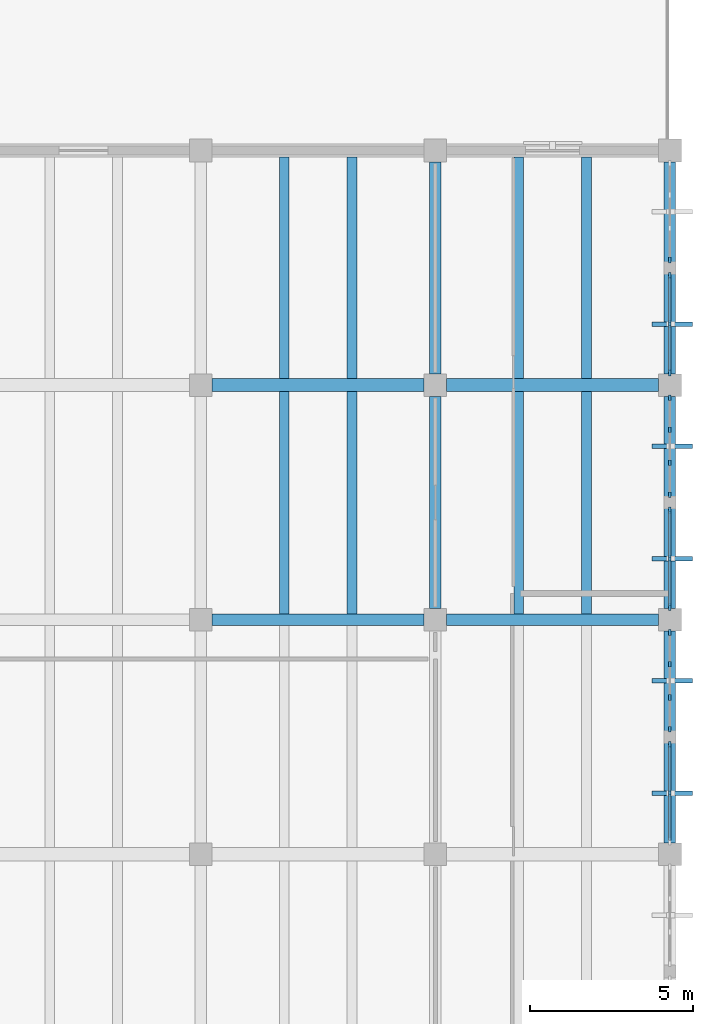
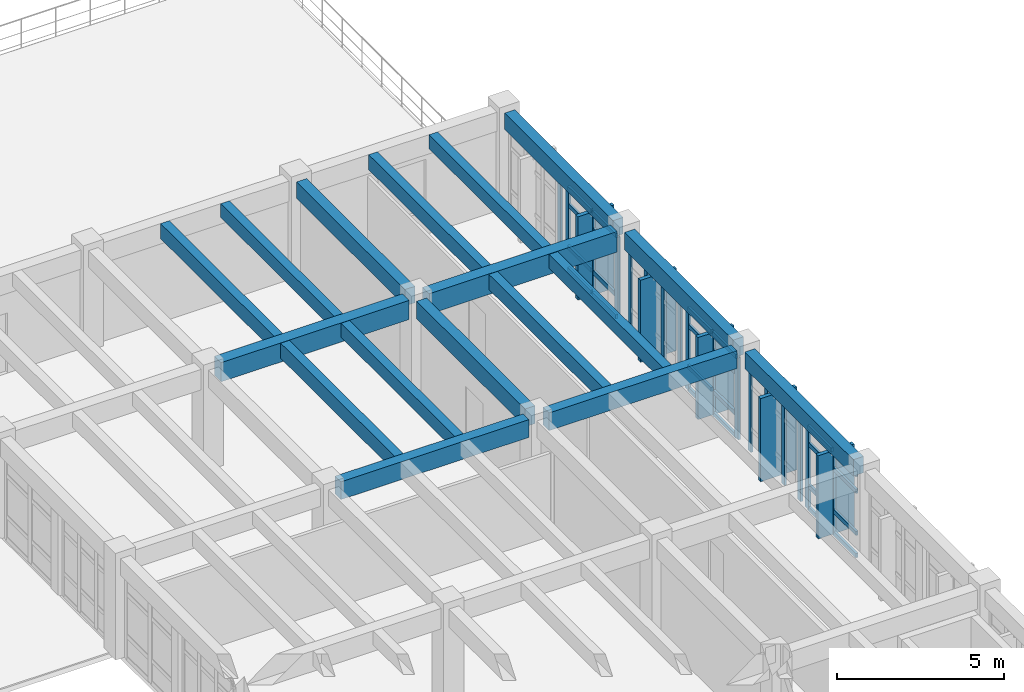
# One storey, part 16 of 54: 46 members, 17 beams, 6 elements without a shape of their own.
"""IFC4 building model written with IfcOpenShell, lengths in metres."""

from ifc_helpers import new_model, si_unit, direction, frame, origin, origin_2d, place, context, subcontext, project, spatial, rectangle, extrude, material, layer, layer_set, material_profile, profile_set, type_object, element, aggregate, save


model = new_model("IFC4")

# Units and contexts
model_context = context("Model", 3, precision=1e-05, world=origin(), true_north=direction((0.0, 1.0)))
body_context = subcontext(model_context, "Body", "Model", "MODEL_VIEW")
ifc_project = project(units=[si_unit("LENGTHUNIT", "METRE"), si_unit("AREAUNIT", "SQUARE_METRE"), si_unit("VOLUMEUNIT", "CUBIC_METRE"), si_unit("PLANEANGLEUNIT", "RADIAN"), si_unit("MASSUNIT", "GRAM", prefix="KILO")], contexts=[model_context])

# Site, building, storey
site_placement = place(None, origin())
site = spatial("IfcSite", under=ifc_project, at=site_placement, CompositionType="ELEMENT")
building_placement = place(site_placement, origin())
building = spatial("IfcBuilding", under=site, at=building_placement, Name="Koriwan Promenade Central Fire Station", CompositionType="ELEMENT")
storey_placement = place(building_placement, frame((0.0, 0.0, 9.60009765625)))
storey = spatial("IfcBuildingStorey", under=building, at=storey_placement, Name="L02", CompositionType="ELEMENT", Elevation=9.60009765625)

# Beams
ifc_material_1 = material(Name="Concrete C35/45", Category="concrete")
ifc_material_profile_1 = material_profile(ifc_material_1, rectangle(XDim=0.300048828125, YDim=0.5, at=origin_2d()), Name="RC-BM-300x500")
ifc_profile_set_1 = profile_set([ifc_material_profile_1], Name="Concrete C35/45")
beam_type_1 = type_object("IfcBeamType", Name="Beam_RC-BM-300x500", PredefinedType="JOIST", material=ifc_profile_set_1)
for number, where, z_axis, x_axis, name in (
    (1, (163.0400390625, 43.375, 3.39990234375), (0.0, 1.0, 0.0), (-1.0, 0.0, 0.0), "V5 L02 secondary joist 851"),
    (2, (170.239990234375, 43.375, 3.39990234375), (0.0, 1.0, 0.0), (-1.0, 0.0, 0.0), "V5 L02 secondary joist 853"),
):
    element("IfcBeam", number, at=place(storey_placement, frame(where, z_axis=z_axis, x_axis=x_axis)), inside=storey, type_object=beam_type_1, Name=name, PredefinedType="JOIST", context=body_context, shape_type="SweptSolid", body=[
        extrude(rectangle(XDim=0.300048828125, YDim=0.5, at=origin_2d()), origin(), (0.0, 0.0, 1.0), 6.824951171875),
    ])
for number, where, z_axis, x_axis, name in (
    (3, (163.0400390625, 50.60009765625, 3.409912109375), (0.0, 1.0, 0.0), (-1.0, 0.0, 0.0), "V5 L02 secondary joist 857"),
    (4, (170.239990234375, 50.60009765625, 3.409912109375), (0.0, 1.0, 0.0), (-1.0, 0.0, 0.0), "V5 L02 secondary joist 859"),
):
    element("IfcBeam", number, at=place(storey_placement, frame(where, z_axis=z_axis, x_axis=x_axis)), inside=storey, type_object=beam_type_1, Name=name, PredefinedType="JOIST", context=body_context, shape_type="SweptSolid", body=[
        extrude(rectangle(XDim=0.300048828125, YDim=0.5, at=origin_2d()), origin(), (0.0, 0.0, 1.0), 6.7998046875),
    ])
ifc_material_profile_2 = material_profile(ifc_material_1, rectangle(XDim=0.300048828125, YDim=0.550048828125, at=origin_2d()), Name="RC-BM-300x550")
ifc_profile_set_2 = profile_set([ifc_material_profile_2], Name="Concrete C35/45")
beam_type_2 = type_object("IfcBeamType", Name="Beam_RC-BM-300x550", PredefinedType="JOIST", material=ifc_profile_set_2)
for number, where, z_axis, x_axis, name in (
    (5, (160.9599609375, 43.375, 3.375), (0.0, 1.0, 0.0), (-1.0, 0.0, 0.0), "V5 L02 secondary joist 850"),
    (6, (168.159912109375, 43.375, 3.375), (0.0, 1.0, 0.0), (-1.0, 0.0, 0.0), "V5 L02 secondary joist 852"),
):
    element("IfcBeam", number, at=place(storey_placement, frame(where, z_axis=z_axis, x_axis=x_axis)), inside=storey, type_object=beam_type_2, Name=name, PredefinedType="JOIST", context=body_context, shape_type="SweptSolid", body=[
        extrude(rectangle(XDim=0.300048828125, YDim=0.550048828125, at=origin_2d()), origin(), (0.0, 0.0, 1.0), 6.824951171875),
    ])
for number, where, z_axis, x_axis, name in (
    (7, (160.9599609375, 50.60009765625, 3.385009765625), (0.0, 1.0, 0.0), (-1.0, 0.0, 0.0), "V5 L02 secondary joist 856"),
    (8, (168.159912109375, 50.60009765625, 3.385009765625), (0.0, 1.0, 0.0), (-1.0, 0.0, 0.0), "V5 L02 secondary joist 858"),
):
    element("IfcBeam", number, at=place(storey_placement, frame(where, z_axis=z_axis, x_axis=x_axis)), inside=storey, type_object=beam_type_2, Name=name, PredefinedType="JOIST", context=body_context, shape_type="SweptSolid", body=[
        extrude(rectangle(XDim=0.300048828125, YDim=0.550048828125, at=origin_2d()), origin(), (0.0, 0.0, 1.0), 6.7998046875),
    ])
ifc_material_profile_3 = material_profile(ifc_material_1, rectangle(XDim=0.35009765625, YDim=0.60009765625, at=origin_2d()), Name="RC-BM-350x600")
ifc_profile_set_3 = profile_set([ifc_material_profile_3], Name="Concrete C35/45")
beam_type_3 = type_object("IfcBeamType", Name="Beam_RC-BM-350x600", PredefinedType="BEAM", material=ifc_profile_set_3)
for number, where, z_axis, x_axis, name in (
    (9, (165.60009765625, 50.75, 3.35986328125), (0.0, 1.0, 0.0), (-1.0, 0.0, 0.0), "V5 L02 girder Y-808"),
    (10, (172.800048828125, 36.35009765625, 3.349853515625), (0.0, 1.0, 0.0), (-1.0, 0.0, 0.0), "V5 L02 girder Y-814"),
    (11, (172.800048828125, 50.75, 3.35986328125), (0.0, 1.0, 0.0), (-1.0, 0.0, 0.0), "V5 L02 girder Y-816"),
):
    element("IfcBeam", number, at=place(storey_placement, frame(where, z_axis=z_axis, x_axis=x_axis)), inside=storey, type_object=beam_type_3, Name=name, PredefinedType="BEAM", context=body_context, shape_type="SweptSolid", body=[
        extrude(rectangle(XDim=0.35009765625, YDim=0.60009765625, at=origin_2d()), origin(), (0.0, 0.0, 1.0), 6.5),
    ])
ifc_material_profile_4 = material_profile(ifc_material_1, rectangle(XDim=0.35009765625, YDim=0.64990234375, at=origin_2d()), Name="RC-BM-350x650")
ifc_profile_set_4 = profile_set([ifc_material_profile_4], Name="Concrete C35/45")
beam_type_4 = type_object("IfcBeamType", Name="Beam_RC-BM-350x650", PredefinedType="BEAM", material=ifc_profile_set_4)
for number, where, z_axis, x_axis, name in (
    (12, (165.60009765625, 43.550048828125, 3.3349609375), (0.0, 1.0, 0.0), (-1.0, 0.0, 0.0), "V5 L02 girder Y-807"),
    (13, (172.800048828125, 43.550048828125, 3.3349609375), (0.0, 1.0, 0.0), (-1.0, 0.0, 0.0), "V5 L02 girder Y-815"),
):
    element("IfcBeam", number, at=place(storey_placement, frame(where, z_axis=z_axis, x_axis=x_axis)), inside=storey, type_object=beam_type_4, Name=name, PredefinedType="BEAM", context=body_context, shape_type="SweptSolid", body=[
        extrude(rectangle(XDim=0.35009765625, YDim=0.64990234375, at=origin_2d()), origin(), (0.0, 0.0, 1.0), 6.5),
    ])
ifc_material_profile_5 = material_profile(ifc_material_1, rectangle(XDim=0.39990234375, YDim=0.699951171875, at=origin_2d()), Name="RC-BM-400x700")
ifc_profile_set_5 = profile_set([ifc_material_profile_5], Name="Concrete C35/45")
beam_type_5 = type_object("IfcBeamType", Name="Beam_RC-BM-400x700", PredefinedType="BEAM", material=ifc_profile_set_5)
beam_1_placement = place(storey_placement, frame((158.75, 50.39990234375, 3.309814453125), z_axis=(1.0, 0.0, 0.0), x_axis=(0.0, 1.0, 0.0)))
element("IfcBeam", 14, at=beam_1_placement, inside=storey, type_object=beam_type_5, Name="V5 L02 girder X-778", PredefinedType="BEAM", context=body_context, shape_type="SweptSolid", body=[
    extrude(rectangle(XDim=0.39990234375, YDim=0.699951171875, at=origin_2d()), origin(), (0.0, 0.0, 1.0), 6.5),
])
ifc_material_profile_6 = material_profile(ifc_material_1, rectangle(XDim=0.39990234375, YDim=0.75, at=origin_2d()), Name="RC-BM-400x750")
ifc_profile_set_6 = profile_set([ifc_material_profile_6], Name="Concrete C35/45")
beam_type_6 = type_object("IfcBeamType", Name="Beam_RC-BM-400x750", PredefinedType="BEAM", material=ifc_profile_set_6)
beam_2_placement = place(storey_placement, frame((165.949951171875, 50.39990234375, 3.284912109375), z_axis=(1.0, 0.0, 0.0), x_axis=(0.0, 1.0, 0.0)))
element("IfcBeam", 15, at=beam_2_placement, inside=storey, type_object=beam_type_6, Name="V5 L02 girder X-779", PredefinedType="BEAM", context=body_context, shape_type="SweptSolid", body=[
    extrude(rectangle(XDim=0.39990234375, YDim=0.75, at=origin_2d()), origin(), (0.0, 0.0, 1.0), 6.5),
])
ifc_material_profile_7 = material_profile(ifc_material_1, rectangle(XDim=0.35009765625, YDim=0.64990234375, at=origin_2d()), Name="RC-SP-350x650")
ifc_profile_set_7 = profile_set([ifc_material_profile_7], Name="Concrete C35/45")
beam_type_7 = type_object("IfcBeamType", Name="Beam_RC-SP-350x650", PredefinedType="SPANDREL", material=ifc_profile_set_7)
for number, where, z_axis, x_axis, name in (
    (16, (158.75, 43.199951171875, 3.324951171875), (1.0, 0.0, 0.0), (0.0, 1.0, 0.0), "V5 L02 girder X-775"),
    (17, (165.949951171875, 43.199951171875, 3.324951171875), (1.0, 0.0, 0.0), (0.0, 1.0, 0.0), "V5 L02 girder X-776"),
):
    element("IfcBeam", number, at=place(storey_placement, frame(where, z_axis=z_axis, x_axis=x_axis)), inside=storey, type_object=beam_type_7, Name=name, PredefinedType="SPANDREL", context=body_context, shape_type="SweptSolid", body=[
        extrude(rectangle(XDim=0.35009765625, YDim=0.64990234375, at=origin_2d()), origin(), (0.0, 0.0, 1.0), 6.5),
    ])

# Curtain wall, member
ifc_material_2 = material(Name="Aluminium EN AW-6063-T6 and low-E glazing", Category="aluminium")
ifc_layer_1 = layer(ifc_material_2, 0.159912109375, Name="Aluminium EN AW-6063-T6 and low-E glazing")
ifc_layer_set_1 = layer_set([ifc_layer_1], Name="Aluminium EN AW-6063-T6 and low-E glazing")
curtain_wall_type_1 = type_object("IfcCurtainWallType", Name="CurtainWall_76_305x305", PredefinedType="USERDEFINED", material=ifc_layer_set_1)
curtain_wall_1_placement = place(storey_placement, origin())
curtain_wall_1 = element("IfcCurtainWall", 18, at=curtain_wall_1_placement, inside=storey, type_object=curtain_wall_type_1, Name="V5 L02 unitised curtain wall 235", ObjectType="UNITISED CURTAIN WALL", PredefinedType="USERDEFINED")
ifc_material_3 = material(Name="Aluminium EN AW-6063-T6", Category="aluminium")
ifc_material_profile_8 = material_profile(ifc_material_3, rectangle(XDim=0.074951171875, YDim=0.179931640625, at=origin_2d()), Name="ALU-MUL-75x180")
ifc_profile_set_8 = profile_set([ifc_material_profile_8], Name="Aluminium EN AW-6063-T6")
member_type_1 = type_object("IfcMemberType", Name="CWMullion_ALU-MUL-75x180", PredefinedType="MULLION", material=ifc_profile_set_8)
member_1_placement = place(storey_placement, frame((172.800048828125, 54.237548828125, 0.0), z_axis=(0.0, 0.0, 1.0), x_axis=(1.0, 0.0, 0.0)))
member_1 = element("IfcMember", 19, at=member_1_placement, type_object=member_type_1, Name="CW-76 mullion 4", PredefinedType="MULLION", context=body_context, shape_type="SweptSolid", body=[
    extrude(rectangle(XDim=0.074951171875, YDim=0.179931640625, at=origin_2d()), origin(), (0.0, 0.0, 1.0), 3.0498046875),
])
aggregate(curtain_wall_1, [member_1])

# Curtain wall, members
ifc_layer_2 = layer(ifc_material_2, 0.159912109375, Name="Aluminium EN AW-6063-T6 and low-E glazing")
ifc_layer_set_2 = layer_set([ifc_layer_2], Name="Aluminium EN AW-6063-T6 and low-E glazing")
curtain_wall_type_2 = type_object("IfcCurtainWallType", Name="CurtainWall_74_305x300", PredefinedType="USERDEFINED", material=ifc_layer_set_2)
curtain_wall_2_placement = place(storey_placement, origin())
curtain_wall_2 = element("IfcCurtainWall", 20, at=curtain_wall_2_placement, inside=storey, type_object=curtain_wall_type_2, Name="V5 L02 unitised curtain wall 237", ObjectType="UNITISED CURTAIN WALL", PredefinedType="USERDEFINED")
member_2_placement = place(storey_placement, frame((172.800048828125, 50.012451171875, 0.0), z_axis=(0.0, 0.0, 1.0), x_axis=(1.0, 0.0, 0.0)))
member_2 = element("IfcMember", 21, at=member_2_placement, type_object=member_type_1, Name="CW-74 mullion 1", PredefinedType="MULLION", context=body_context, shape_type="SweptSolid", body=[
    extrude(rectangle(XDim=0.074951171875, YDim=0.179931640625, at=origin_2d()), origin(), (0.0, 0.0, 1.0), 3.0),
])
member_3_placement = place(storey_placement, frame((172.800048828125, 49.033447265625, 0.0), z_axis=(0.0, 0.0, 1.0), x_axis=(1.0, 0.0, 0.0)))
member_3 = element("IfcMember", 22, at=member_3_placement, type_object=member_type_1, Name="CW-74 mullion 2", PredefinedType="MULLION", context=body_context, shape_type="SweptSolid", body=[
    extrude(rectangle(XDim=0.074951171875, YDim=0.179931640625, at=origin_2d()), origin(), (0.0, 0.0, 1.0), 3.0),
])
member_4_placement = place(storey_placement, frame((172.800048828125, 48.0166015625, 0.0), z_axis=(0.0, 0.0, 1.0), x_axis=(1.0, 0.0, 0.0)))
member_4 = element("IfcMember", 23, at=member_4_placement, type_object=member_type_1, Name="CW-74 mullion 3", PredefinedType="MULLION", context=body_context, shape_type="SweptSolid", body=[
    extrude(rectangle(XDim=0.074951171875, YDim=0.179931640625, at=origin_2d()), origin(), (0.0, 0.0, 1.0), 3.0),
])
member_5_placement = place(storey_placement, frame((172.800048828125, 47.03759765625, 0.0), z_axis=(0.0, 0.0, 1.0), x_axis=(1.0, 0.0, 0.0)))
member_5 = element("IfcMember", 24, at=member_5_placement, type_object=member_type_1, Name="CW-74 mullion 4", PredefinedType="MULLION", context=body_context, shape_type="SweptSolid", body=[
    extrude(rectangle(XDim=0.074951171875, YDim=0.179931640625, at=origin_2d()), origin(), (0.0, 0.0, 1.0), 3.0),
])
aggregate(curtain_wall_2, [member_2, member_3, member_4, member_5])

ifc_layer_3 = layer(ifc_material_2, 0.159912109375, Name="Aluminium EN AW-6063-T6 and low-E glazing")
ifc_layer_set_3 = layer_set([ifc_layer_3], Name="Aluminium EN AW-6063-T6 and low-E glazing")
curtain_wall_type_3 = type_object("IfcCurtainWallType", Name="CurtainWall_80_305x304", PredefinedType="USERDEFINED", material=ifc_layer_set_3)
curtain_wall_3_placement = place(storey_placement, origin())
curtain_wall_3 = element("IfcCurtainWall", 25, at=curtain_wall_3_placement, inside=storey, type_object=curtain_wall_type_3, Name="V5 L02 unitised curtain wall 239", ObjectType="UNITISED CURTAIN WALL", PredefinedType="USERDEFINED")
member_6_placement = place(storey_placement, frame((172.800048828125, 42.8125, 0.0), z_axis=(0.0, 0.0, 1.0), x_axis=(1.0, 0.0, 0.0)))
member_6 = element("IfcMember", 26, at=member_6_placement, type_object=member_type_1, Name="CW-80 mullion 1", PredefinedType="MULLION", context=body_context, shape_type="SweptSolid", body=[
    extrude(rectangle(XDim=0.074951171875, YDim=0.179931640625, at=origin_2d()), origin(), (0.0, 0.0, 1.0), 3.039794921875),
])
member_7_placement = place(storey_placement, frame((172.800048828125, 41.833251953125, 0.0), z_axis=(0.0, 0.0, 1.0), x_axis=(1.0, 0.0, 0.0)))
member_7 = element("IfcMember", 27, at=member_7_placement, type_object=member_type_1, Name="CW-80 mullion 2", PredefinedType="MULLION", context=body_context, shape_type="SweptSolid", body=[
    extrude(rectangle(XDim=0.074951171875, YDim=0.179931640625, at=origin_2d()), origin(), (0.0, 0.0, 1.0), 3.039794921875),
])
member_8_placement = place(storey_placement, frame((172.800048828125, 40.816650390625, 0.0), z_axis=(0.0, 0.0, 1.0), x_axis=(1.0, 0.0, 0.0)))
member_8 = element("IfcMember", 28, at=member_8_placement, type_object=member_type_1, Name="CW-80 mullion 3", PredefinedType="MULLION", context=body_context, shape_type="SweptSolid", body=[
    extrude(rectangle(XDim=0.074951171875, YDim=0.179931640625, at=origin_2d()), origin(), (0.0, 0.0, 1.0), 3.039794921875),
])
member_9_placement = place(storey_placement, frame((172.800048828125, 39.83740234375, 0.0), z_axis=(0.0, 0.0, 1.0), x_axis=(1.0, 0.0, 0.0)))
member_9 = element("IfcMember", 29, at=member_9_placement, type_object=member_type_1, Name="CW-80 mullion 4", PredefinedType="MULLION", context=body_context, shape_type="SweptSolid", body=[
    extrude(rectangle(XDim=0.074951171875, YDim=0.179931640625, at=origin_2d()), origin(), (0.0, 0.0, 1.0), 3.039794921875),
])
aggregate(curtain_wall_3, [member_6, member_7, member_8, member_9])

ifc_layer_4 = layer(ifc_material_2, 0.159912109375, Name="Aluminium EN AW-6063-T6 and low-E glazing")
ifc_layer_set_4 = layer_set([ifc_layer_4], Name="Aluminium EN AW-6063-T6 and low-E glazing")
curtain_wall_type_4 = type_object("IfcCurtainWallType", Name="CurtainWall_77_305x305", PredefinedType="USERDEFINED", material=ifc_layer_set_4)
curtain_wall_4_placement = place(storey_placement, origin())
curtain_wall_4 = element("IfcCurtainWall", 30, at=curtain_wall_4_placement, inside=storey, type_object=curtain_wall_type_4, Name="V5 L02 unitised curtain wall 236", ObjectType="UNITISED CURTAIN WALL", PredefinedType="USERDEFINED")
ifc_material_profile_9 = material_profile(ifc_material_3, rectangle(XDim=0.080078125, YDim=0.2099609375, at=origin_2d()), Name="ALU-MUL-80x210")
ifc_profile_set_9 = profile_set([ifc_material_profile_9], Name="Aluminium EN AW-6063-T6")
member_type_2 = type_object("IfcMemberType", Name="CWMullion_ALU-MUL-80x210", PredefinedType="MULLION", material=ifc_profile_set_9)
member_10_placement = place(storey_placement, frame((172.800048828125, 53.760009765625, 0.0), z_axis=(0.0, 0.0, 1.0), x_axis=(1.0, 0.0, 0.0)))
member_10 = element("IfcMember", 31, at=member_10_placement, type_object=member_type_2, Name="CW-77 mullion 1", PredefinedType="MULLION", context=body_context, shape_type="SweptSolid", body=[
    extrude(rectangle(XDim=0.080078125, YDim=0.2099609375, at=origin_2d()), origin(), (0.0, 0.0, 1.0), 3.0498046875),
])
member_11_placement = place(storey_placement, frame((172.800048828125, 52.27490234375, 0.0), z_axis=(0.0, 0.0, 1.0), x_axis=(1.0, 0.0, 0.0)))
member_11 = element("IfcMember", 32, at=member_11_placement, type_object=member_type_2, Name="CW-77 mullion 2", PredefinedType="MULLION", context=body_context, shape_type="SweptSolid", body=[
    extrude(rectangle(XDim=0.080078125, YDim=0.2099609375, at=origin_2d()), origin(), (0.0, 0.0, 1.0), 3.0498046875),
])
member_12_placement = place(storey_placement, frame((172.800048828125, 50.7900390625, 0.0), z_axis=(0.0, 0.0, 1.0), x_axis=(1.0, 0.0, 0.0)))
member_12 = element("IfcMember", 33, at=member_12_placement, type_object=member_type_2, Name="CW-77 mullion 3", PredefinedType="MULLION", context=body_context, shape_type="SweptSolid", body=[
    extrude(rectangle(XDim=0.080078125, YDim=0.2099609375, at=origin_2d()), origin(), (0.0, 0.0, 1.0), 3.0498046875),
])

ifc_layer_5 = layer(ifc_material_2, 0.159912109375, Name="Aluminium EN AW-6063-T6 and low-E glazing")
ifc_layer_set_5 = layer_set([ifc_layer_5], Name="Aluminium EN AW-6063-T6 and low-E glazing")
curtain_wall_type_5 = type_object("IfcCurtainWallType", Name="CurtainWall_75_305x300", PredefinedType="USERDEFINED", material=ifc_layer_set_5)
curtain_wall_5_placement = place(storey_placement, origin())
curtain_wall_5 = element("IfcCurtainWall", 34, at=curtain_wall_5_placement, inside=storey, type_object=curtain_wall_type_5, Name="V5 L02 unitised curtain wall 238", ObjectType="UNITISED CURTAIN WALL", PredefinedType="USERDEFINED")
member_13_placement = place(storey_placement, frame((172.800048828125, 46.56005859375, 0.0), z_axis=(0.0, 0.0, 1.0), x_axis=(1.0, 0.0, 0.0)))
member_13 = element("IfcMember", 35, at=member_13_placement, type_object=member_type_2, Name="CW-75 mullion 1", PredefinedType="MULLION", context=body_context, shape_type="SweptSolid", body=[
    extrude(rectangle(XDim=0.080078125, YDim=0.2099609375, at=origin_2d()), origin(), (0.0, 0.0, 1.0), 3.0),
])
member_14_placement = place(storey_placement, frame((172.800048828125, 45.074951171875, 0.0), z_axis=(0.0, 0.0, 1.0), x_axis=(1.0, 0.0, 0.0)))
member_14 = element("IfcMember", 36, at=member_14_placement, type_object=member_type_2, Name="CW-75 mullion 2", PredefinedType="MULLION", context=body_context, shape_type="SweptSolid", body=[
    extrude(rectangle(XDim=0.080078125, YDim=0.2099609375, at=origin_2d()), origin(), (0.0, 0.0, 1.0), 3.0),
])
member_15_placement = place(storey_placement, frame((172.800048828125, 43.590087890625, 0.0), z_axis=(0.0, 0.0, 1.0), x_axis=(1.0, 0.0, 0.0)))
member_15 = element("IfcMember", 37, at=member_15_placement, type_object=member_type_2, Name="CW-75 mullion 3", PredefinedType="MULLION", context=body_context, shape_type="SweptSolid", body=[
    extrude(rectangle(XDim=0.080078125, YDim=0.2099609375, at=origin_2d()), origin(), (0.0, 0.0, 1.0), 3.0),
])

ifc_layer_6 = layer(ifc_material_2, 0.159912109375, Name="Aluminium EN AW-6063-T6 and low-E glazing")
ifc_layer_set_6 = layer_set([ifc_layer_6], Name="Aluminium EN AW-6063-T6 and low-E glazing")
curtain_wall_type_6 = type_object("IfcCurtainWallType", Name="CurtainWall_81_305x304", PredefinedType="USERDEFINED", material=ifc_layer_set_6)
curtain_wall_6_placement = place(storey_placement, origin())
curtain_wall_6 = element("IfcCurtainWall", 38, at=curtain_wall_6_placement, inside=storey, type_object=curtain_wall_type_6, Name="V5 L02 unitised curtain wall 240", ObjectType="UNITISED CURTAIN WALL", PredefinedType="USERDEFINED")
member_16_placement = place(storey_placement, frame((172.800048828125, 39.360107421875, 0.0), z_axis=(0.0, 0.0, 1.0), x_axis=(1.0, 0.0, 0.0)))
member_16 = element("IfcMember", 39, at=member_16_placement, type_object=member_type_2, Name="CW-81 mullion 1", PredefinedType="MULLION", context=body_context, shape_type="SweptSolid", body=[
    extrude(rectangle(XDim=0.080078125, YDim=0.2099609375, at=origin_2d()), origin(), (0.0, 0.0, 1.0), 3.039794921875),
])
member_17_placement = place(storey_placement, frame((172.800048828125, 37.875, 0.0), z_axis=(0.0, 0.0, 1.0), x_axis=(1.0, 0.0, 0.0)))
member_17 = element("IfcMember", 40, at=member_17_placement, type_object=member_type_2, Name="CW-81 mullion 2", PredefinedType="MULLION", context=body_context, shape_type="SweptSolid", body=[
    extrude(rectangle(XDim=0.080078125, YDim=0.2099609375, at=origin_2d()), origin(), (0.0, 0.0, 1.0), 3.039794921875),
])

# Member
ifc_material_profile_10 = material_profile(ifc_material_3, rectangle(XDim=0.080078125, YDim=0.155029296875, at=origin_2d()), Name="ALU-TRN-80x155")
ifc_profile_set_10 = profile_set([ifc_material_profile_10], Name="Aluminium EN AW-6063-T6")
member_type_3 = type_object("IfcMemberType", Name="CWTransom_ALU-TRN-80x155", PredefinedType="USERDEFINED", material=ifc_profile_set_10)
member_18_placement = place(storey_placement, frame((172.800048828125, 53.719970703125, 0.039794921875), z_axis=(0.0, -1.0, 0.0), x_axis=(1.0, 0.0, 0.0)))
member_18 = element("IfcMember", 41, at=member_18_placement, type_object=member_type_3, Name="CW-77 transom 1.1", ObjectType="TRANSOM", PredefinedType="USERDEFINED", context=body_context, shape_type="SweptSolid", body=[
    extrude(rectangle(XDim=0.080078125, YDim=0.155029296875, at=origin_2d()), origin(), (0.0, 0.0, 1.0), 1.405029296875),
])

member_19_placement = place(storey_placement, frame((172.800048828125, 53.719970703125, 0.849853515625), z_axis=(0.0, -1.0, 0.0), x_axis=(1.0, 0.0, 0.0)))
member_19 = element("IfcMember", 42, at=member_19_placement, type_object=member_type_3, Name="CW-77 transom 1.2", ObjectType="TRANSOM", PredefinedType="USERDEFINED", context=body_context, shape_type="SweptSolid", body=[
    extrude(rectangle(XDim=0.080078125, YDim=0.155029296875, at=origin_2d()), origin(), (0.0, 0.0, 1.0), 1.405029296875),
])

member_20_placement = place(storey_placement, frame((172.800048828125, 53.719970703125, 2.39990234375), z_axis=(0.0, -1.0, 0.0), x_axis=(1.0, 0.0, 0.0)))
member_20 = element("IfcMember", 43, at=member_20_placement, type_object=member_type_3, Name="CW-77 transom 1.3", ObjectType="TRANSOM", PredefinedType="USERDEFINED", context=body_context, shape_type="SweptSolid", body=[
    extrude(rectangle(XDim=0.080078125, YDim=0.155029296875, at=origin_2d()), origin(), (0.0, 0.0, 1.0), 1.405029296875),
])

member_21_placement = place(storey_placement, frame((172.800048828125, 53.719970703125, 3.010009765625), z_axis=(0.0, -1.0, 0.0), x_axis=(1.0, 0.0, 0.0)))
member_21 = element("IfcMember", 44, at=member_21_placement, type_object=member_type_3, Name="CW-77 transom 1.4", ObjectType="TRANSOM", PredefinedType="USERDEFINED", context=body_context, shape_type="SweptSolid", body=[
    extrude(rectangle(XDim=0.080078125, YDim=0.155029296875, at=origin_2d()), origin(), (0.0, 0.0, 1.0), 1.405029296875),
])

member_22_placement = place(storey_placement, frame((172.800048828125, 52.235107421875, 0.039794921875), z_axis=(0.0, -1.0, 0.0), x_axis=(1.0, 0.0, 0.0)))
member_22 = element("IfcMember", 45, at=member_22_placement, type_object=member_type_3, Name="CW-77 transom 2.1", ObjectType="TRANSOM", PredefinedType="USERDEFINED", context=body_context, shape_type="SweptSolid", body=[
    extrude(rectangle(XDim=0.080078125, YDim=0.155029296875, at=origin_2d()), origin(), (0.0, 0.0, 1.0), 1.405029296875),
])

member_23_placement = place(storey_placement, frame((172.800048828125, 52.235107421875, 0.849853515625), z_axis=(0.0, -1.0, 0.0), x_axis=(1.0, 0.0, 0.0)))
member_23 = element("IfcMember", 46, at=member_23_placement, type_object=member_type_3, Name="CW-77 transom 2.2", ObjectType="TRANSOM", PredefinedType="USERDEFINED", context=body_context, shape_type="SweptSolid", body=[
    extrude(rectangle(XDim=0.080078125, YDim=0.155029296875, at=origin_2d()), origin(), (0.0, 0.0, 1.0), 1.405029296875),
])

member_24_placement = place(storey_placement, frame((172.800048828125, 52.235107421875, 2.39990234375), z_axis=(0.0, -1.0, 0.0), x_axis=(1.0, 0.0, 0.0)))
member_24 = element("IfcMember", 47, at=member_24_placement, type_object=member_type_3, Name="CW-77 transom 2.3", ObjectType="TRANSOM", PredefinedType="USERDEFINED", context=body_context, shape_type="SweptSolid", body=[
    extrude(rectangle(XDim=0.080078125, YDim=0.155029296875, at=origin_2d()), origin(), (0.0, 0.0, 1.0), 1.405029296875),
])

member_25_placement = place(storey_placement, frame((172.800048828125, 52.235107421875, 3.010009765625), z_axis=(0.0, -1.0, 0.0), x_axis=(1.0, 0.0, 0.0)))
member_25 = element("IfcMember", 48, at=member_25_placement, type_object=member_type_3, Name="CW-77 transom 2.4", ObjectType="TRANSOM", PredefinedType="USERDEFINED", context=body_context, shape_type="SweptSolid", body=[
    extrude(rectangle(XDim=0.080078125, YDim=0.155029296875, at=origin_2d()), origin(), (0.0, 0.0, 1.0), 1.405029296875),
])

aggregate(curtain_wall_4, [member_10, member_11, member_12, member_18, member_19, member_20, member_21, member_22, member_23, member_24, member_25])

member_26_placement = place(storey_placement, frame((172.800048828125, 46.52001953125, 0.039794921875), z_axis=(0.0, -1.0, 0.0), x_axis=(1.0, 0.0, 0.0)))
member_26 = element("IfcMember", 49, at=member_26_placement, type_object=member_type_3, Name="CW-75 transom 1.1", ObjectType="TRANSOM", PredefinedType="USERDEFINED", context=body_context, shape_type="SweptSolid", body=[
    extrude(rectangle(XDim=0.080078125, YDim=0.155029296875, at=origin_2d()), origin(), (0.0, 0.0, 1.0), 1.405029296875),
])

member_27_placement = place(storey_placement, frame((172.800048828125, 46.52001953125, 0.849853515625), z_axis=(0.0, -1.0, 0.0), x_axis=(1.0, 0.0, 0.0)))
member_27 = element("IfcMember", 50, at=member_27_placement, type_object=member_type_3, Name="CW-75 transom 1.2", ObjectType="TRANSOM", PredefinedType="USERDEFINED", context=body_context, shape_type="SweptSolid", body=[
    extrude(rectangle(XDim=0.080078125, YDim=0.155029296875, at=origin_2d()), origin(), (0.0, 0.0, 1.0), 1.405029296875),
])

member_28_placement = place(storey_placement, frame((172.800048828125, 46.52001953125, 2.349853515625), z_axis=(0.0, -1.0, 0.0), x_axis=(1.0, 0.0, 0.0)))
member_28 = element("IfcMember", 51, at=member_28_placement, type_object=member_type_3, Name="CW-75 transom 1.3", ObjectType="TRANSOM", PredefinedType="USERDEFINED", context=body_context, shape_type="SweptSolid", body=[
    extrude(rectangle(XDim=0.080078125, YDim=0.155029296875, at=origin_2d()), origin(), (0.0, 0.0, 1.0), 1.405029296875),
])

member_29_placement = place(storey_placement, frame((172.800048828125, 46.52001953125, 2.9599609375), z_axis=(0.0, -1.0, 0.0), x_axis=(1.0, 0.0, 0.0)))
member_29 = element("IfcMember", 52, at=member_29_placement, type_object=member_type_3, Name="CW-75 transom 1.4", ObjectType="TRANSOM", PredefinedType="USERDEFINED", context=body_context, shape_type="SweptSolid", body=[
    extrude(rectangle(XDim=0.080078125, YDim=0.155029296875, at=origin_2d()), origin(), (0.0, 0.0, 1.0), 1.405029296875),
])

member_30_placement = place(storey_placement, frame((172.800048828125, 45.034912109375, 0.039794921875), z_axis=(0.0, -1.0, 0.0), x_axis=(1.0, 0.0, 0.0)))
member_30 = element("IfcMember", 53, at=member_30_placement, type_object=member_type_3, Name="CW-75 transom 2.1", ObjectType="TRANSOM", PredefinedType="USERDEFINED", context=body_context, shape_type="SweptSolid", body=[
    extrude(rectangle(XDim=0.080078125, YDim=0.155029296875, at=origin_2d()), origin(), (0.0, 0.0, 1.0), 1.405029296875),
])

member_31_placement = place(storey_placement, frame((172.800048828125, 45.034912109375, 0.849853515625), z_axis=(0.0, -1.0, 0.0), x_axis=(1.0, 0.0, 0.0)))
member_31 = element("IfcMember", 54, at=member_31_placement, type_object=member_type_3, Name="CW-75 transom 2.2", ObjectType="TRANSOM", PredefinedType="USERDEFINED", context=body_context, shape_type="SweptSolid", body=[
    extrude(rectangle(XDim=0.080078125, YDim=0.155029296875, at=origin_2d()), origin(), (0.0, 0.0, 1.0), 1.405029296875),
])

member_32_placement = place(storey_placement, frame((172.800048828125, 45.034912109375, 2.349853515625), z_axis=(0.0, -1.0, 0.0), x_axis=(1.0, 0.0, 0.0)))
member_32 = element("IfcMember", 55, at=member_32_placement, type_object=member_type_3, Name="CW-75 transom 2.3", ObjectType="TRANSOM", PredefinedType="USERDEFINED", context=body_context, shape_type="SweptSolid", body=[
    extrude(rectangle(XDim=0.080078125, YDim=0.155029296875, at=origin_2d()), origin(), (0.0, 0.0, 1.0), 1.405029296875),
])

member_33_placement = place(storey_placement, frame((172.800048828125, 45.034912109375, 2.9599609375), z_axis=(0.0, -1.0, 0.0), x_axis=(1.0, 0.0, 0.0)))
member_33 = element("IfcMember", 56, at=member_33_placement, type_object=member_type_3, Name="CW-75 transom 2.4", ObjectType="TRANSOM", PredefinedType="USERDEFINED", context=body_context, shape_type="SweptSolid", body=[
    extrude(rectangle(XDim=0.080078125, YDim=0.155029296875, at=origin_2d()), origin(), (0.0, 0.0, 1.0), 1.405029296875),
])

aggregate(curtain_wall_5, [member_13, member_14, member_15, member_26, member_27, member_28, member_29, member_30, member_31, member_32, member_33])

member_34_placement = place(storey_placement, frame((172.800048828125, 39.320068359375, 0.039794921875), z_axis=(0.0, -1.0, 0.0), x_axis=(1.0, 0.0, 0.0)))
member_34 = element("IfcMember", 57, at=member_34_placement, type_object=member_type_3, Name="CW-81 transom 1.1", ObjectType="TRANSOM", PredefinedType="USERDEFINED", context=body_context, shape_type="SweptSolid", body=[
    extrude(rectangle(XDim=0.080078125, YDim=0.155029296875, at=origin_2d()), origin(), (0.0, 0.0, 1.0), 1.405029296875),
])

member_35_placement = place(storey_placement, frame((172.800048828125, 39.320068359375, 0.849853515625), z_axis=(0.0, -1.0, 0.0), x_axis=(1.0, 0.0, 0.0)))
member_35 = element("IfcMember", 58, at=member_35_placement, type_object=member_type_3, Name="CW-81 transom 1.2", ObjectType="TRANSOM", PredefinedType="USERDEFINED", context=body_context, shape_type="SweptSolid", body=[
    extrude(rectangle(XDim=0.080078125, YDim=0.155029296875, at=origin_2d()), origin(), (0.0, 0.0, 1.0), 1.405029296875),
])

member_36_placement = place(storey_placement, frame((172.800048828125, 39.320068359375, 2.389892578125), z_axis=(0.0, -1.0, 0.0), x_axis=(1.0, 0.0, 0.0)))
member_36 = element("IfcMember", 59, at=member_36_placement, type_object=member_type_3, Name="CW-81 transom 1.3", ObjectType="TRANSOM", PredefinedType="USERDEFINED", context=body_context, shape_type="SweptSolid", body=[
    extrude(rectangle(XDim=0.080078125, YDim=0.155029296875, at=origin_2d()), origin(), (0.0, 0.0, 1.0), 1.405029296875),
])

member_37_placement = place(storey_placement, frame((172.800048828125, 39.320068359375, 3.0), z_axis=(0.0, -1.0, 0.0), x_axis=(1.0, 0.0, 0.0)))
member_37 = element("IfcMember", 60, at=member_37_placement, type_object=member_type_3, Name="CW-81 transom 1.4", ObjectType="TRANSOM", PredefinedType="USERDEFINED", context=body_context, shape_type="SweptSolid", body=[
    extrude(rectangle(XDim=0.080078125, YDim=0.155029296875, at=origin_2d()), origin(), (0.0, 0.0, 1.0), 1.405029296875),
])

member_38_placement = place(storey_placement, frame((172.800048828125, 37.8349609375, 0.039794921875), z_axis=(0.0, -1.0, 0.0), x_axis=(1.0, 0.0, 0.0)))
member_38 = element("IfcMember", 61, at=member_38_placement, type_object=member_type_3, Name="CW-81 transom 2.1", ObjectType="TRANSOM", PredefinedType="USERDEFINED", context=body_context, shape_type="SweptSolid", body=[
    extrude(rectangle(XDim=0.080078125, YDim=0.155029296875, at=origin_2d()), origin(), (0.0, 0.0, 1.0), 1.405029296875),
])

member_39_placement = place(storey_placement, frame((172.800048828125, 37.8349609375, 0.849853515625), z_axis=(0.0, -1.0, 0.0), x_axis=(1.0, 0.0, 0.0)))
member_39 = element("IfcMember", 62, at=member_39_placement, type_object=member_type_3, Name="CW-81 transom 2.2", ObjectType="TRANSOM", PredefinedType="USERDEFINED", context=body_context, shape_type="SweptSolid", body=[
    extrude(rectangle(XDim=0.080078125, YDim=0.155029296875, at=origin_2d()), origin(), (0.0, 0.0, 1.0), 1.405029296875),
])

member_40_placement = place(storey_placement, frame((172.800048828125, 37.8349609375, 2.389892578125), z_axis=(0.0, -1.0, 0.0), x_axis=(1.0, 0.0, 0.0)))
member_40 = element("IfcMember", 63, at=member_40_placement, type_object=member_type_3, Name="CW-81 transom 2.3", ObjectType="TRANSOM", PredefinedType="USERDEFINED", context=body_context, shape_type="SweptSolid", body=[
    extrude(rectangle(XDim=0.080078125, YDim=0.155029296875, at=origin_2d()), origin(), (0.0, 0.0, 1.0), 1.405029296875),
])

member_41_placement = place(storey_placement, frame((172.800048828125, 37.8349609375, 3.0), z_axis=(0.0, -1.0, 0.0), x_axis=(1.0, 0.0, 0.0)))
member_41 = element("IfcMember", 64, at=member_41_placement, type_object=member_type_3, Name="CW-81 transom 2.4", ObjectType="TRANSOM", PredefinedType="USERDEFINED", context=body_context, shape_type="SweptSolid", body=[
    extrude(rectangle(XDim=0.080078125, YDim=0.155029296875, at=origin_2d()), origin(), (0.0, 0.0, 1.0), 1.405029296875),
])

aggregate(curtain_wall_6, [member_16, member_17, member_34, member_35, member_36, member_37, member_38, member_39, member_40, member_41])

# Members
ifc_material_4 = material(Name="Aluminium EN AW-6063-T6 terracotta finish", Category="masonry")
ifc_material_profile_11 = material_profile(ifc_material_4, rectangle(XDim=0.139892578125, YDim=1.25, at=origin_2d()), Name="FIN-TRC-140x1250")
ifc_profile_set_11 = profile_set([ifc_material_profile_11], Name="Aluminium EN AW-6063-T6 terracotta finish")
member_type_4 = type_object("IfcMemberType", Name="SolarFin_FIN-TRC-140x1250", PredefinedType="USERDEFINED", material=ifc_profile_set_11)
member_42_placement = place(storey_placement, frame((172.875, 52.27490234375, 0.0), z_axis=(0.0, 0.0, 1.0), x_axis=(0.0, -1.0, 0.0)))
element("IfcMember", 65, at=member_42_placement, inside=storey, type_object=member_type_4, Name="V5 L02 terracotta solar fin 070", ObjectType="SOLAR FIN", PredefinedType="USERDEFINED", context=body_context, shape_type="SweptSolid", body=[
    extrude(rectangle(XDim=0.139892578125, YDim=1.25, at=origin_2d()), origin(), (0.0, 0.0, 1.0), 3.0498046875),
])
for number, where, z_axis, x_axis, name in (
    (66, (172.875, 48.52490234375, 0.0), (0.0, 0.0, 1.0), (0.0, -1.0, 0.0), "V5 L02 terracotta solar fin 071"),
    (67, (172.875, 45.074951171875, 0.0), (0.0, 0.0, 1.0), (0.0, -1.0, 0.0), "V5 L02 terracotta solar fin 072"),
):
    element("IfcMember", number, at=place(storey_placement, frame(where, z_axis=z_axis, x_axis=x_axis)), inside=storey, type_object=member_type_4, Name=name, ObjectType="SOLAR FIN", PredefinedType="USERDEFINED", context=body_context, shape_type="SweptSolid", body=[
        extrude(rectangle(XDim=0.139892578125, YDim=1.25, at=origin_2d()), origin(), (0.0, 0.0, 1.0), 3.0),
    ])
for number, where, z_axis, x_axis, name in (
    (68, (172.875, 41.324951171875, 0.0), (0.0, 0.0, 1.0), (0.0, -1.0, 0.0), "V5 L02 terracotta solar fin 073"),
    (69, (172.875, 37.875, 0.0), (0.0, 0.0, 1.0), (0.0, -1.0, 0.0), "V5 L02 terracotta solar fin 074"),
):
    element("IfcMember", number, at=place(storey_placement, frame(where, z_axis=z_axis, x_axis=x_axis)), inside=storey, type_object=member_type_4, Name=name, ObjectType="SOLAR FIN", PredefinedType="USERDEFINED", context=body_context, shape_type="SweptSolid", body=[
        extrude(rectangle(XDim=0.139892578125, YDim=1.25, at=origin_2d()), origin(), (0.0, 0.0, 1.0), 3.039794921875),
    ])

save(model, "model.ifc")
